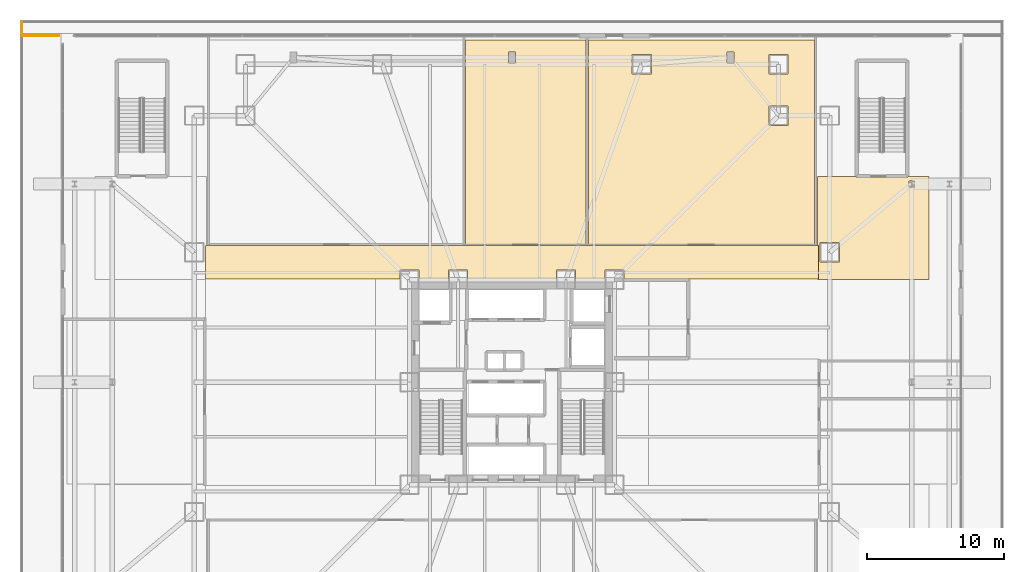
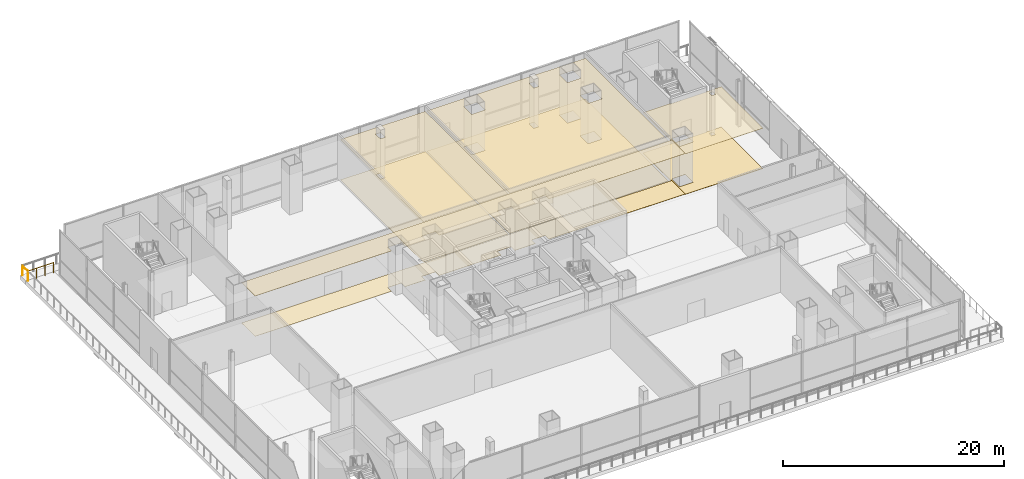
# One storey, part 34 of 36: 8 coverings, 2 railings.
"""IFC4 building model written with IfcOpenShell, lengths in metres."""

from ifc_helpers import new_model, si_unit, direction, frame, origin, origin_2d, place, context, subcontext, project, spatial, polyline, circle, outline, extrude, material, layer, layer_set, type_object, element, save


model = new_model("IFC4")

# Units and contexts
model_context = context("Model", 3, precision=1e-05, world=origin(), true_north=direction((0.0, 1.0)))
body_context = subcontext(model_context, "Body", "Model", "MODEL_VIEW")
ifc_project = project(units=[si_unit("LENGTHUNIT", "METRE"), si_unit("AREAUNIT", "SQUARE_METRE"), si_unit("VOLUMEUNIT", "CUBIC_METRE"), si_unit("PLANEANGLEUNIT", "RADIAN"), si_unit("MASSUNIT", "GRAM", prefix="KILO")], contexts=[model_context])

# Site, building, storey
site_placement = place(None, origin())
site = spatial("IfcSite", under=ifc_project, at=site_placement, CompositionType="ELEMENT")
building_placement = place(site_placement, origin())
building = spatial("IfcBuilding", under=site, at=building_placement, Name="Trevonay Congress Spire", CompositionType="ELEMENT")
storey_placement = place(building_placement, frame((0.0, 0.0, 16.199951171875)))
storey = spatial("IfcBuildingStorey", under=building, at=storey_placement, Name="L03", CompositionType="ELEMENT", Elevation=16.199951171875)

# Coverings
ifc_material_1 = material(Name="Acoustic Mineral Fibre Board", Category="gypsum")
ifc_layer_1 = layer(ifc_material_1, 0.02490234375, Name="Acoustic Mineral Fibre Board")
ifc_layer_set_1 = layer_set([ifc_layer_1], Name="Acoustic Mineral Fibre Board")
covering_type_1 = type_object("IfcCoveringType", Name="COV-CEIL-ACOUSTIC", PredefinedType="CEILING", material=ifc_layer_set_1)
covering_1_placement = place(storey_placement, frame((0.0, 0.0, 4.449951171875)))
element("IfcCovering", 1, at=covering_1_placement, inside=storey, type_object=covering_type_1, Name="L03 L03 Grand Concourse North acoustic suspended ceiling", PredefinedType="CEILING", context=body_context, shape_type="SweptSolid", body=[
    extrude(outline(polyline([(-22.419921875, 7.550048828125), (-22.419921875, 10.0), (22.419921875, 10.0), (22.419921875, 7.550048828125), (8.2099609375, 7.550048828125), (8.2099609375, 8.2099609375), (6.7900390625, 8.2099609375), (6.7900390625, 7.550048828125), (4.659912109375, 7.550048828125), (4.659912109375, 8.2099609375), (3.239990234375, 8.2099609375), (3.239990234375, 7.550048828125), (-3.239990234375, 7.550048828125), (-3.239990234375, 8.2099609375), (-4.659912109375, 8.2099609375), (-4.659912109375, 7.550048828125), (-6.7900390625, 7.550048828125), (-6.7900390625, 8.2099609375), (-8.2099609375, 8.2099609375), (-8.2099609375, 7.550048828125), (-22.419921875, 7.550048828125)])), origin(), (0.0, 0.0, 1.0), 0.025146484375),
])
covering_2_placement = place(storey_placement, frame((0.0, 0.0, 4.449951171875)))
element("IfcCovering", 2, at=covering_2_placement, inside=storey, type_object=covering_type_1, Name="L03 Main Banquet Production Kitchen acoustic suspended ceiling", PredefinedType="CEILING", context=body_context, shape_type="SweptSolid", body=[
    extrude(outline(polyline([(-3.419921875, 25.050048828125), (5.419921875, 25.050048828125), (5.419921875, 10.080078125), (-3.419921875, 10.080078125), (-3.419921875, 25.050048828125)]), holes=[polyline([(0.260009765625, 23.340087890625), (0.260009765625, 24.159912109375), (-0.260009765625, 24.159912109375), (-0.260009765625, 23.340087890625), (0.260009765625, 23.340087890625)])]), origin(), (0.0, 0.0, 1.0), 0.025146484375),
])
covering_3_placement = place(storey_placement, frame((0.0, 0.0, 4.449951171875)))
element("IfcCovering", 3, at=covering_3_placement, inside=storey, type_object=covering_type_1, Name="L03 Pastry Kitchen acoustic suspended ceiling", PredefinedType="CEILING", context=body_context, shape_type="SweptSolid", body=[
    extrude(outline(polyline([(5.580078125, 25.050048828125), (22.1201171875, 25.050048828125), (22.1201171875, 10.080078125), (5.580078125, 10.080078125), (5.580078125, 25.050048828125)]), holes=[polyline([(18.7900390625, 20.2099609375), (18.7900390625, 18.7900390625), (20.2099609375, 18.7900390625), (20.2099609375, 20.2099609375), (18.7900390625, 20.2099609375)]), polyline([(8.7900390625, 23.9599609375), (8.7900390625, 22.5400390625), (10.2099609375, 22.5400390625), (10.2099609375, 23.9599609375), (8.7900390625, 23.9599609375)]), polyline([(18.7900390625, 23.9599609375), (18.7900390625, 22.5400390625), (20.2099609375, 22.5400390625), (20.2099609375, 23.9599609375), (18.7900390625, 23.9599609375)]), polyline([(15.739990234375, 24.159912109375), (15.739990234375, 23.340087890625), (16.260009765625, 23.340087890625), (16.260009765625, 24.159912109375), (15.739990234375, 24.159912109375)])]), origin(), (0.0, 0.0, 1.0), 0.025146484375),
])
covering_4_placement = place(storey_placement, frame((0.0, 0.0, 4.449951171875)))
element("IfcCovering", 4, at=covering_4_placement, inside=storey, type_object=covering_type_1, Name="L03 L03 Stair Lobby NE acoustic suspended ceiling", PredefinedType="CEILING", context=body_context, shape_type="SweptSolid", body=[
    extrude(outline(polyline([(28.97998046875, 15.02001953125), (28.97998046875, 15.050048828125), (30.5, 15.050048828125), (30.5, 7.5), (22.35009765625, 7.5), (22.35009765625, 7.550048828125), (22.419921875, 7.550048828125), (22.419921875, 10.0), (22.35009765625, 10.0), (22.35009765625, 15.050048828125), (25.169921875, 15.050048828125), (25.169921875, 15.02001953125), (28.97998046875, 15.02001953125)]), holes=[polyline([(23.9599609375, 8.7900390625), (23.9599609375, 10.2099609375), (22.5400390625, 10.2099609375), (22.5400390625, 8.7900390625), (23.9599609375, 8.7900390625)]), polyline([(29.444091796875, 14.277587890625), (29.444091796875, 14.722412109375), (29.055908203125, 14.722412109375), (29.055908203125, 14.277587890625), (29.444091796875, 14.277587890625)])]), origin(), (0.0, 0.0, 1.0), 0.025146484375),
])
ifc_material_2 = material(Name="Polished Granite Floor Tile", Category="masonry")
ifc_layer_2 = layer(ifc_material_2, 0.02001953125, Name="Polished Granite Floor Tile")
ifc_layer_set_2 = layer_set([ifc_layer_2], Name="Polished Granite Floor Tile")
covering_type_2 = type_object("IfcCoveringType", Name="COV-FLOOR-STONE", PredefinedType="FLOORING", material=ifc_layer_set_2)
covering_5_placement = place(storey_placement, origin())
element("IfcCovering", 5, at=covering_5_placement, inside=storey, type_object=covering_type_2, Name="L03 L03 Grand Concourse North floor finish", PredefinedType="FLOORING", context=body_context, shape_type="SweptSolid", body=[
    extrude(outline(polyline([(-22.419921875, 7.550048828125), (-22.419921875, 10.0), (22.419921875, 10.0), (22.419921875, 7.550048828125), (8.2099609375, 7.550048828125), (8.2099609375, 8.2099609375), (6.7900390625, 8.2099609375), (6.7900390625, 7.550048828125), (4.659912109375, 7.550048828125), (4.659912109375, 8.2099609375), (3.239990234375, 8.2099609375), (3.239990234375, 7.550048828125), (-3.239990234375, 7.550048828125), (-3.239990234375, 8.2099609375), (-4.659912109375, 8.2099609375), (-4.659912109375, 7.550048828125), (-6.7900390625, 7.550048828125), (-6.7900390625, 8.2099609375), (-8.2099609375, 8.2099609375), (-8.2099609375, 7.550048828125), (-22.419921875, 7.550048828125)])), origin(), (0.0, 0.0, 1.0), 0.02001953125),
])
covering_6_placement = place(storey_placement, origin())
element("IfcCovering", 6, at=covering_6_placement, inside=storey, type_object=covering_type_2, Name="L03 Main Banquet Production Kitchen floor finish", PredefinedType="FLOORING", context=body_context, shape_type="SweptSolid", body=[
    extrude(outline(polyline([(-3.419921875, 25.050048828125), (5.419921875, 25.050048828125), (5.419921875, 10.080078125), (-3.419921875, 10.080078125), (-3.419921875, 25.050048828125)]), holes=[polyline([(0.260009765625, 23.340087890625), (0.260009765625, 24.159912109375), (-0.260009765625, 24.159912109375), (-0.260009765625, 23.340087890625), (0.260009765625, 23.340087890625)])]), origin(), (0.0, 0.0, 1.0), 0.02001953125),
])
covering_7_placement = place(storey_placement, origin())
element("IfcCovering", 7, at=covering_7_placement, inside=storey, type_object=covering_type_2, Name="L03 Pastry Kitchen floor finish", PredefinedType="FLOORING", context=body_context, shape_type="SweptSolid", body=[
    extrude(outline(polyline([(5.580078125, 25.050048828125), (22.1201171875, 25.050048828125), (22.1201171875, 10.080078125), (5.580078125, 10.080078125), (5.580078125, 25.050048828125)]), holes=[polyline([(18.7900390625, 20.2099609375), (18.7900390625, 18.7900390625), (20.2099609375, 18.7900390625), (20.2099609375, 20.2099609375), (18.7900390625, 20.2099609375)]), polyline([(8.7900390625, 23.9599609375), (8.7900390625, 22.5400390625), (10.2099609375, 22.5400390625), (10.2099609375, 23.9599609375), (8.7900390625, 23.9599609375)]), polyline([(18.7900390625, 23.9599609375), (18.7900390625, 22.5400390625), (20.2099609375, 22.5400390625), (20.2099609375, 23.9599609375), (18.7900390625, 23.9599609375)]), polyline([(15.739990234375, 24.159912109375), (15.739990234375, 23.340087890625), (16.260009765625, 23.340087890625), (16.260009765625, 24.159912109375), (15.739990234375, 24.159912109375)])]), origin(), (0.0, 0.0, 1.0), 0.02001953125),
])
covering_8_placement = place(storey_placement, origin())
element("IfcCovering", 8, at=covering_8_placement, inside=storey, type_object=covering_type_2, Name="L03 L03 Stair Lobby NE floor finish", PredefinedType="FLOORING", context=body_context, shape_type="SweptSolid", body=[
    extrude(outline(polyline([(28.97998046875, 15.02001953125), (28.97998046875, 15.050048828125), (30.5, 15.050048828125), (30.5, 7.5), (22.35009765625, 7.5), (22.35009765625, 7.550048828125), (22.419921875, 7.550048828125), (22.419921875, 10.0), (22.35009765625, 10.0), (22.35009765625, 15.050048828125), (25.169921875, 15.050048828125), (25.169921875, 15.02001953125), (28.97998046875, 15.02001953125)]), holes=[polyline([(23.9599609375, 8.7900390625), (23.9599609375, 10.2099609375), (22.5400390625, 10.2099609375), (22.5400390625, 8.7900390625), (23.9599609375, 8.7900390625)]), polyline([(29.444091796875, 14.277587890625), (29.444091796875, 14.722412109375), (29.055908203125, 14.722412109375), (29.055908203125, 14.277587890625), (29.444091796875, 14.277587890625)])]), origin(), (0.0, 0.0, 1.0), 0.02001953125),
])

# Railings
ifc_material_3 = material(Name="Pale Anodised Aluminium EN AW-6063-T6", Category="aluminium")
railing_type = type_object("IfcRailingType", Name="RAL-EXT-GUARD-115", PredefinedType="GUARDRAIL", material=ifc_material_3)
railing_1_placement = place(storey_placement, frame((-33.14990234375, 25.35009765625, 0.0)))
element("IfcRailing", 9, at=railing_1_placement, inside=storey, type_object=railing_type, Name="L03 perimeter safety guard GRD-L03-TER-W-3", PredefinedType="GUARDRAIL", context=body_context, shape_type="SweptSolid", body=[
    extrude(circle(Radius=0.02392578125, at=origin_2d()), frame((0.0, 0.0, 1.1259765625), z_axis=(-1.0, 0.0, 0.0), x_axis=(0.0, -1.0, 0.0)), (0.0, 0.0, 1.0), 2.7001953125),
    extrude(circle(Radius=0.02099609375, at=origin_2d()), origin(), (0.0, 0.0, 1.0), 1.101806640625),
    extrude(circle(Radius=0.02099609375, at=origin_2d()), frame((-0.900146484375, 0.0, 0.0)), (0.0, 0.0, 1.0), 1.101806640625),
    extrude(circle(Radius=0.02099609375, at=origin_2d()), frame((-1.800048828125, 0.0, 0.0)), (0.0, 0.0, 1.0), 1.101806640625),
    extrude(circle(Radius=0.02099609375, at=origin_2d()), frame((-2.7001953125, 0.0, 0.0)), (0.0, 0.0, 1.0), 1.101806640625),
])
railing_2_placement = place(storey_placement, frame((-35.85009765625, 25.35009765625, 0.0)))
element("IfcRailing", 10, at=railing_2_placement, inside=storey, type_object=railing_type, Name="L03 perimeter safety guard GRD-L03-TER-N-1", PredefinedType="GUARDRAIL", context=body_context, shape_type="SweptSolid", body=[
    extrude(circle(Radius=0.02392578125, at=origin_2d()), frame((0.0, 0.0, 1.1259765625), z_axis=(0.0, 1.0, 0.0), x_axis=(-1.0, 0.0, 0.0)), (0.0, 0.0, 1.0), 1.0),
    extrude(circle(Radius=0.02099609375, at=origin_2d()), origin(), (0.0, 0.0, 1.0), 1.101806640625),
    extrude(circle(Radius=0.02099609375, at=origin_2d()), frame((0.0, 1.0, 0.0)), (0.0, 0.0, 1.0), 1.101806640625),
])

save(model, "model.ifc")
